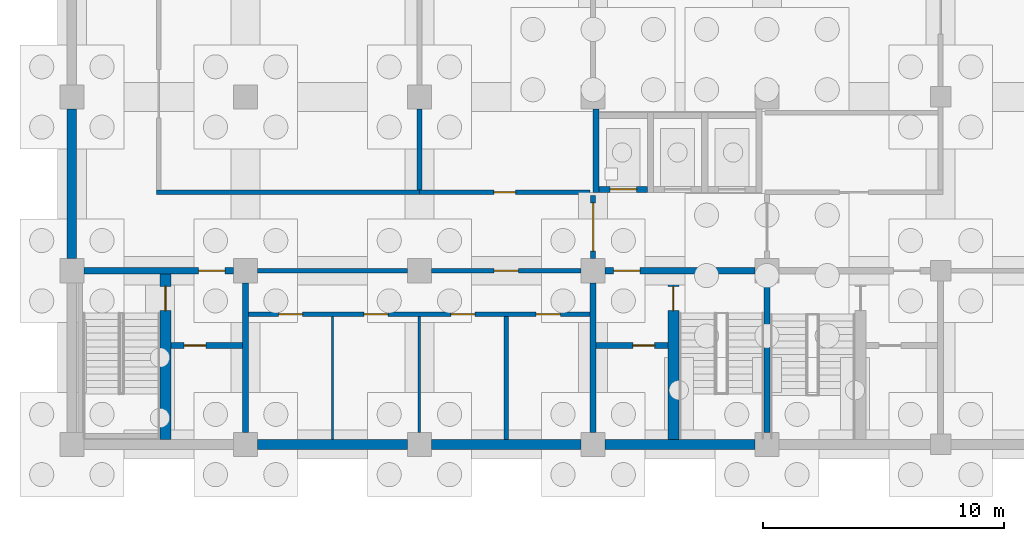
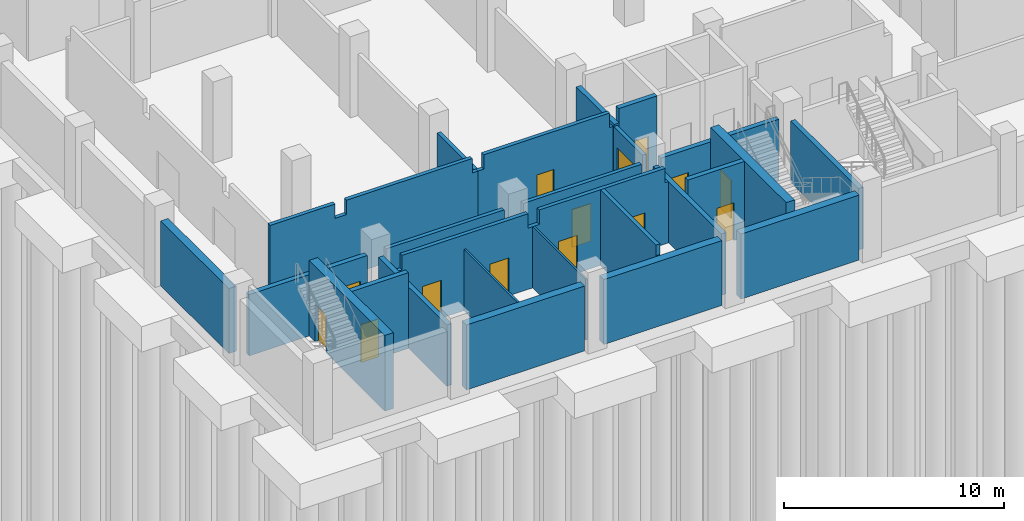
# One storey, part 7 of 19: 25 walls, 14 doors, 14 openings.
"""IFC4 building model written with IfcOpenShell, lengths in metres."""

import ifcopenshell
import ifcopenshell.guid

model = None  # the IFC model being written
_history = None  # IfcOwnerHistory: only IFC2X3 demands one
_inside = {}  # id of a spatial element -> (the spatial element, [elements in it])
_under = {}  # id of a project, library or spatial element -> (it, [spatial elements below it])
_declared = {}  # id of a project -> (the project, [libraries it declares])
_typed = {}  # id of a type object -> (the type object, [elements of that type])
_made_of = {}  # id of a material, layer set ... -> (it, [elements and type objects made of it])


def new_model(schema):
    """Start an empty IFC model of exactly this schema.

    Asked for "IFC4X3", IfcOpenShell would pick the latest addendum, in which some entities
    have other attributes; the version numbers below select the first issue.
    IFC2X3 requires an IfcOwnerHistory on every rooted entity: one is made here for all.
    """
    global model, _history
    if schema == "IFC4X3":
        model = ifcopenshell.file(schema_version=(4, 3, 0, 0))
    else:
        model = ifcopenshell.file(schema=schema)
    _inside.clear()
    _under.clear()
    _declared.clear()
    _typed.clear()
    _made_of.clear()
    _history = None
    if model.schema == "IFC2X3":
        org = make("IfcOrganization", Name="unknown")
        user = make(
            "IfcPersonAndOrganization",
            ThePerson=make("IfcPerson", FamilyName="unknown"),
            TheOrganization=org,
        )
        app = make(
            "IfcApplication",
            ApplicationDeveloper=org,
            Version="unknown",
            ApplicationFullName="unknown",
            ApplicationIdentifier="unknown",
        )
        _history = make(
            "IfcOwnerHistory",
            OwningUser=user,
            OwningApplication=app,
            ChangeAction="ADDED",
            CreationDate=0,
        )
    return model


def make(cls, **values):
    """One entity of the class cls with the attributes given. An attribute that is None is left unset."""
    return model.create_entity(
        cls, **{name: value for name, value in values.items() if value is not None}
    )


def rooted(cls, **values):
    """An entity with a GlobalId (a new one), such as an element, a storey or a relation."""
    return make(cls, GlobalId=ifcopenshell.guid.new(), OwnerHistory=_history, **values)


def si_unit(unit_type, name, prefix=None):
    """IfcSIUnit, for example si_unit("LENGTHUNIT", "METRE", prefix="MILLI")."""
    return make("IfcSIUnit", UnitType=unit_type, Prefix=prefix, Name=name)


def assignment(units):
    """IfcUnitAssignment: the units of a project."""
    return None if units is None else make("IfcUnitAssignment", Units=units)


def point(xyz):
    """IfcCartesianPoint."""
    return None if xyz is None else make("IfcCartesianPoint", Coordinates=xyz)


def direction(xyz):
    """IfcDirection."""
    return None if xyz is None else make("IfcDirection", DirectionRatios=xyz)


def frame(location, z_axis=None, x_axis=None):
    """IfcAxis2Placement3D, a coordinate frame: its origin and axes. An axis left out is left unset."""
    return make(
        "IfcAxis2Placement3D",
        Location=point(location),
        Axis=direction(z_axis),
        RefDirection=direction(x_axis),
    )


def frame_2d(location, x_axis=None):
    """IfcAxis2Placement2D, a coordinate frame in the plane: its origin and x axis."""
    return make(
        "IfcAxis2Placement2D", Location=point(location), RefDirection=direction(x_axis)
    )


def origin():
    """The frame at (0, 0, 0) with its axes left unset."""
    return frame((0.0, 0.0, 0.0))


def place(relative_to, where):
    """IfcLocalPlacement: puts the frame where relative to a parent placement (None: the world)."""
    return make(
        "IfcLocalPlacement", PlacementRelTo=relative_to, RelativePlacement=where
    )


def context(
    kind, dimensions, precision=None, world=None, true_north=None, identifier=None
):
    """IfcGeometricRepresentationContext, for example the 3D "Model" context."""
    return make(
        "IfcGeometricRepresentationContext",
        ContextIdentifier=identifier,
        ContextType=kind,
        CoordinateSpaceDimension=dimensions,
        Precision=precision,
        WorldCoordinateSystem=world,
        TrueNorth=true_north,
    )


def subcontext(parent, identifier, kind, view, scale=None):
    """IfcGeometricRepresentationSubContext, for example "Body" below "Model"."""
    return make(
        "IfcGeometricRepresentationSubContext",
        ContextIdentifier=identifier,
        ContextType=kind,
        ParentContext=parent,
        TargetScale=scale,
        TargetView=view,
    )


def project(units=None, contexts=None):
    """IfcProject with its units and contexts."""
    return rooted(
        "IfcProject",
        Name="project",
        RepresentationContexts=contexts,
        UnitsInContext=assignment(units),
    )


def spatial(cls, under=None, at=None, **own):
    """A site, building, storey or space (cls), placed at a placement, below another one or the project."""
    s = rooted(cls, ObjectPlacement=at, **own)
    if under is not None:
        _under.setdefault(under.id(), (under, []))[1].append(s)
    return s


def polyline(points):
    """IfcPolyline through the points."""
    return make("IfcPolyline", Points=[point(p) for p in points])


def profile(cls, at=None, kind="AREA", **sizes):
    """A parametric profile (cls). Its sizes go by their IFC names, for example OverallWidth=200.0."""
    return make(cls, ProfileType=kind, Position=at, **sizes)


def rectangle(**sizes):
    """IfcRectangleProfileDef."""
    return profile("IfcRectangleProfileDef", **sizes)


def outline(outer, holes=None, kind="AREA"):
    """IfcArbitraryClosedProfileDef: a profile drawn as a closed curve; with holes, ...WithVoids."""
    if holes is None:
        return make("IfcArbitraryClosedProfileDef", ProfileType=kind, OuterCurve=outer)
    return make(
        "IfcArbitraryProfileDefWithVoids",
        ProfileType=kind,
        OuterCurve=outer,
        InnerCurves=holes,
    )


def extrude(swept, where, along, depth):
    """IfcExtrudedAreaSolid: the profile swept, set in the frame where, extruded along a direction by depth."""
    return make(
        "IfcExtrudedAreaSolid",
        SweptArea=swept,
        Position=where,
        ExtrudedDirection=direction(along),
        Depth=depth,
    )


def shape(context_of_items, identifier, shape_type, items):
    """IfcShapeRepresentation: the items that make up one representation, for example the "Body"."""
    return make(
        "IfcShapeRepresentation",
        ContextOfItems=context_of_items,
        RepresentationIdentifier=identifier,
        RepresentationType=shape_type,
        Items=items,
    )


def material(Name=None, Category=None):
    """IfcMaterial."""
    return make("IfcMaterial", Name=Name, Category=Category)


def layer(
    of_material, thickness, ventilated=None, Name=None, Category=None, Priority=None
):
    """IfcMaterialLayer: one layer of a wall or slab, of a material (None: an air gap)."""
    return make(
        "IfcMaterialLayer",
        Material=of_material,
        LayerThickness=thickness,
        IsVentilated=ventilated,
        Name=Name,
        Category=Category,
        Priority=Priority,
    )


def layer_set(layers, Name=None):
    """IfcMaterialLayerSet."""
    return make("IfcMaterialLayerSet", MaterialLayers=layers, LayerSetName=Name)


def made_of(thing, what):
    """Note that an element or type object is made of a material, layer set ...; save() writes the relation."""
    if what is not None:
        _made_of.setdefault(what.id(), (what, []))[1].append(thing)
    return thing


def type_object(cls, material=None, **own):
    """A type object (cls), such as IfcWallType, which elements share."""
    return made_of(rooted(cls, **own), material)


def element(
    cls,
    number,
    at=None,
    inside=None,
    cuts=None,
    type_object=None,
    material=None,
    context=None,
    identifier="Body",
    shape_type=None,
    held_by="IfcProductDefinitionShape",
    body=None,
    shapes=None,
    **own,
):
    """One element of the class cls, such as IfcWall. Its Tag is "e" and its number.

    at: its placement. inside: the storey or other place that contains it. cuts: it is an
    opening in that element (IfcRelVoidsElement). A single representation is given by context,
    identifier, shape_type and body (its items); several are given by shapes. held_by: the class
    of the entity that holds the representations. save() writes the other relations.
    """
    e = rooted(cls, Tag="e%d" % number, ObjectPlacement=at, **own)
    if body is not None:
        shapes = [shape(context, identifier, shape_type, body)]
    if shapes is not None:
        e.Representation = make(held_by, Representations=shapes)
    if inside is not None:
        _inside.setdefault(inside.id(), (inside, []))[1].append(e)
    if cuts is not None:
        rooted(
            "IfcRelVoidsElement", RelatingBuildingElement=cuts, RelatedOpeningElement=e
        )
    if type_object is not None:
        _typed.setdefault(type_object.id(), (type_object, []))[1].append(e)
    return made_of(e, material)


def fill(opening, filler):
    """IfcRelFillsElement: the door or window that sits in an opening."""
    return rooted(
        "IfcRelFillsElement",
        RelatingOpeningElement=opening,
        RelatedBuildingElement=filler,
    )


def aggregate(whole, parts):
    """IfcRelAggregates: a whole, such as a stair, and the parts it consists of."""
    return rooted("IfcRelAggregates", RelatingObject=whole, RelatedObjects=parts)


def save(model, path):
    """Write the relations noted so far, then the file.

    IfcRelAggregates (storeys below a building ...), IfcRelContainedInSpatialStructure (elements
    in a storey), IfcRelDefinesByType, IfcRelAssociatesMaterial and IfcRelDeclares: one each for
    every whole, place, type object, material and project.
    """
    for whole, parts in _under.values():
        aggregate(whole, parts)
    for where, things in _inside.values():
        rooted(
            "IfcRelContainedInSpatialStructure",
            RelatedElements=things,
            RelatingStructure=where,
        )
    for kind, things in _typed.values():
        rooted("IfcRelDefinesByType", RelatedObjects=things, RelatingType=kind)
    for what, things in _made_of.values():
        rooted("IfcRelAssociatesMaterial", RelatedObjects=things, RelatingMaterial=what)
    for by, libraries in _declared.values():
        rooted("IfcRelDeclares", RelatingContext=by, RelatedDefinitions=libraries)
    model.write(path)


model = new_model("IFC4")

# Units and contexts
model_context = context("Model", 3, precision=1e-05, world=origin(), true_north=direction((0.0, 1.0)))
body_context = subcontext(model_context, "Body", "Model", "MODEL_VIEW")
ifc_project = project(units=[si_unit("LENGTHUNIT", "METRE"), si_unit("AREAUNIT", "SQUARE_METRE"), si_unit("VOLUMEUNIT", "CUBIC_METRE"), si_unit("PLANEANGLEUNIT", "RADIAN"), si_unit("MASSUNIT", "GRAM", prefix="KILO")], contexts=[model_context])

# Site, building, storey
site_placement = place(None, origin())
site = spatial("IfcSite", under=ifc_project, at=site_placement, CompositionType="ELEMENT")
building_placement = place(site_placement, origin())
building = spatial("IfcBuilding", under=site, at=building_placement, Name="Silangan Lancet Faculty of Sciences", CompositionType="ELEMENT")
storey_placement = place(building_placement, frame((0.0, 0.0, -4.5)))
storey = spatial("IfcBuildingStorey", under=building, at=storey_placement, Name="B1", CompositionType="ELEMENT", Elevation=-4.5)

# Wall, openings, doors
ifc_material_1 = material(Name="Hollow block masonry fm 7 MPa", Category="masonry")
ifc_layer_1 = layer(ifc_material_1, 0.199951171875)
ifc_layer_set_1 = layer_set([ifc_layer_1], Name="Hollow block masonry fm 7 MPa")
wall_type_1 = type_object("IfcWallType", Name="Interior wall PW1 Corridor wall CHB 200", PredefinedType="PARTITIONING", material=ifc_layer_set_1)
wall_1_placement = place(storey_placement, frame((7.324951171875, 5.39990234375, 0.0), z_axis=(0.0, 0.0, 1.0), x_axis=(1.0, 0.0, 0.0)))
wall_1 = element("IfcWall", 1, at=wall_1_placement, inside=storey, type_object=wall_type_1, Name="Corridor wall CHB 200", PredefinedType="PARTITIONING", context=body_context, shape_type="SweptSolid", body=[
    extrude(outline(polyline([(0.0, 0.0), (14.150146484375, 0.0), (14.150146484375, 3.39990234375), (13.97509765625, 3.39990234375), (13.97509765625, 4.199951171875), (7.375, 4.199951171875), (7.375, 3.39990234375), (6.77490234375, 3.39990234375), (6.77490234375, 4.199951171875), (0.175048828125, 4.199951171875), (0.175048828125, 3.39990234375), (0.0, 3.39990234375), (0.0, 0.0)])), frame((0.0, 0.10009765625, 0.0), z_axis=(0.0, -1.0, 0.0), x_axis=(1.0, 0.0, 0.0)), (0.0, 0.0, 1.0), 0.199951171875),
])
opening_1_placement = place(wall_1_placement, frame((1.237548828125, 0.0, 0.0)))
opening_1 = element("IfcOpeningElement", 2, at=opening_1_placement, cuts=wall_1, Name="Opening B1-031", PredefinedType="OPENING", context=body_context, shape_type="SweptSolid", body=[
    extrude(rectangle(XDim=1.0, YDim=2.10009765625, at=frame_2d((0.5, 1.050048828125))), frame((0.0, 0.10986328125, 0.0), z_axis=(0.0, -1.0, 0.0), x_axis=(1.0, 0.0, 0.0)), (0.0, 0.0, 1.0), 0.219970703125),
])
opening_2_placement = place(wall_1_placement, frame((4.77490234375, 0.0, 0.0)))
opening_2 = element("IfcOpeningElement", 3, at=opening_2_placement, cuts=wall_1, Name="Opening B1-032", PredefinedType="OPENING", context=body_context, shape_type="SweptSolid", body=[
    extrude(rectangle(XDim=1.0, YDim=2.10009765625, at=frame_2d((0.5, 1.050048828125))), frame((0.0, 0.10986328125, 0.0), z_axis=(0.0, -1.0, 0.0), x_axis=(1.0, 0.0, 0.0)), (0.0, 0.0, 1.0), 0.219970703125),
])
opening_3_placement = place(wall_1_placement, frame((8.375, 0.0, 0.0)))
opening_3 = element("IfcOpeningElement", 4, at=opening_3_placement, cuts=wall_1, Name="Opening B1-033", PredefinedType="OPENING", context=body_context, shape_type="SweptSolid", body=[
    extrude(rectangle(XDim=1.0, YDim=2.10009765625, at=frame_2d((0.5, 1.050048828125))), frame((0.0, 0.10986328125, 0.0), z_axis=(0.0, -1.0, 0.0), x_axis=(1.0, 0.0, 0.0)), (0.0, 0.0, 1.0), 0.219970703125),
])
opening_4_placement = place(wall_1_placement, frame((11.91259765625, 0.0, 0.0)))
opening_4 = element("IfcOpeningElement", 5, at=opening_4_placement, cuts=wall_1, Name="Opening B1-034", PredefinedType="OPENING", context=body_context, shape_type="SweptSolid", body=[
    extrude(rectangle(XDim=1.0, YDim=2.10009765625, at=frame_2d((0.5, 1.050048828125))), frame((0.0, 0.10986328125, 0.0), z_axis=(0.0, -1.0, 0.0), x_axis=(1.0, 0.0, 0.0)), (0.0, 0.0, 1.0), 0.219970703125),
])
ifc_material_2 = material(Name="Steel fire door set", Category="steel")
door_type_1 = type_object("IfcDoorType", Name="Door D1 Single leaf fire door 1000 x 2100", OperationType="SINGLE_SWING_LEFT", PredefinedType="DOOR", material=ifc_material_2)
door_1_placement = place(opening_1_placement, frame((1.0, 0.0, 0.0), z_axis=(0.0, 0.0, 1.0), x_axis=(-1.0, 0.0, 0.0)))
door_1 = element("IfcDoor", 6, at=door_1_placement, inside=storey, type_object=door_type_1, Name="Single leaf fire door 1000 x 2100", OperationType="SINGLE_SWING_RIGHT", OverallHeight=2.10009765625, OverallWidth=1.0, PredefinedType="DOOR", context=body_context, shape_type="SweptSolid", body=[
    extrude(rectangle(XDim=1.0, YDim=2.10009765625, at=frame_2d((0.5, 1.050048828125))), frame((0.0, 0.025146484375, 0.0), z_axis=(0.0, -1.0, 0.0), x_axis=(1.0, 0.0, 0.0)), (0.0, 0.0, 1.0), 0.050048828125),
])
fill(opening_1, door_1)
door_2_placement = place(opening_2_placement, frame((1.0, 0.0, 0.0), z_axis=(0.0, 0.0, 1.0), x_axis=(-1.0, 0.0, 0.0)))
door_2 = element("IfcDoor", 7, at=door_2_placement, inside=storey, type_object=door_type_1, Name="Single leaf fire door 1000 x 2100", OperationType="SINGLE_SWING_LEFT", OverallHeight=2.10009765625, OverallWidth=1.0, PredefinedType="DOOR", context=body_context, shape_type="SweptSolid", body=[
    extrude(rectangle(XDim=1.0, YDim=2.10009765625, at=frame_2d((0.5, 1.050048828125))), frame((0.0, 0.025146484375, 0.0), z_axis=(0.0, -1.0, 0.0), x_axis=(1.0, 0.0, 0.0)), (0.0, 0.0, 1.0), 0.050048828125),
])
fill(opening_2, door_2)
door_3_placement = place(opening_3_placement, frame((1.0, 0.0, 0.0), z_axis=(0.0, 0.0, 1.0), x_axis=(-1.0, 0.0, 0.0)))
door_3 = element("IfcDoor", 8, at=door_3_placement, inside=storey, type_object=door_type_1, Name="Single leaf fire door 1000 x 2100", OperationType="SINGLE_SWING_RIGHT", OverallHeight=2.10009765625, OverallWidth=1.0, PredefinedType="DOOR", context=body_context, shape_type="SweptSolid", body=[
    extrude(rectangle(XDim=1.0, YDim=2.10009765625, at=frame_2d((0.5, 1.050048828125))), frame((0.0, 0.025146484375, 0.0), z_axis=(0.0, -1.0, 0.0), x_axis=(1.0, 0.0, 0.0)), (0.0, 0.0, 1.0), 0.050048828125),
])
fill(opening_3, door_3)
door_4_placement = place(opening_4_placement, frame((1.0, 0.0, 0.0), z_axis=(0.0, 0.0, 1.0), x_axis=(-1.0, 0.0, 0.0)))
door_4 = element("IfcDoor", 9, at=door_4_placement, inside=storey, type_object=door_type_1, Name="Single leaf fire door 1000 x 2100", OperationType="SINGLE_SWING_LEFT", OverallHeight=2.10009765625, OverallWidth=1.0, PredefinedType="DOOR", context=body_context, shape_type="SweptSolid", body=[
    extrude(rectangle(XDim=1.0, YDim=2.10009765625, at=frame_2d((0.5, 1.050048828125))), frame((0.0, 0.025146484375, 0.0), z_axis=(0.0, -1.0, 0.0), x_axis=(1.0, 0.0, 0.0)), (0.0, 0.0, 1.0), 0.050048828125),
])
fill(opening_4, door_4)

# Wall
wall_2_placement = place(storey_placement, frame((7.699951171875, 7.199951171875, 0.0), z_axis=(0.0, 0.0, 1.0), x_axis=(1.0, 0.0, 0.0)))
element("IfcWall", 10, at=wall_2_placement, inside=storey, type_object=wall_type_1, Name="Corridor wall CHB 200", PredefinedType="PARTITIONING", context=body_context, shape_type="SweptSolid", body=[
    extrude(rectangle(XDim=6.199951171875, YDim=0.199951171875, at=frame_2d((3.10009765625, 0.0))), origin(), (0.0, 0.0, 1.0), 3.39990234375),
])

# Wall, opening, door
wall_3_placement = place(storey_placement, frame((14.89990234375, 7.199951171875, 0.0), z_axis=(0.0, 0.0, 1.0), x_axis=(1.0, 0.0, 0.0)))
wall_3 = element("IfcWall", 11, at=wall_3_placement, inside=storey, type_object=wall_type_1, Name="Corridor wall CHB 200", PredefinedType="PARTITIONING", context=body_context, shape_type="SweptSolid", body=[
    extrude(rectangle(XDim=6.2001953125, YDim=0.199951171875, at=frame_2d((3.10009765625, 0.0))), origin(), (0.0, 0.0, 1.0), 3.39990234375),
])
opening_5_placement = place(wall_3_placement, frame((2.60009765625, 0.0, 0.0)))
opening_5 = element("IfcOpeningElement", 12, at=opening_5_placement, cuts=wall_3, Name="Opening B1-002", PredefinedType="OPENING", context=body_context, shape_type="SweptSolid", body=[
    extrude(rectangle(XDim=1.0, YDim=2.10009765625, at=frame_2d((0.5, 1.050048828125))), frame((0.0, 0.10986328125, 0.0), z_axis=(0.0, -1.0, 0.0), x_axis=(1.0, 0.0, 0.0)), (0.0, 0.0, 1.0), 0.219970703125),
])
door_5_placement = place(opening_5_placement, frame((1.0, 0.0, 0.0), z_axis=(0.0, 0.0, 1.0), x_axis=(-1.0, 0.0, 0.0)))
door_5 = element("IfcDoor", 13, at=door_5_placement, inside=storey, type_object=door_type_1, Name="Single leaf fire door 1000 x 2100", OperationType="SINGLE_SWING_LEFT", OverallHeight=2.10009765625, OverallWidth=1.0, PredefinedType="DOOR", context=body_context, shape_type="SweptSolid", body=[
    extrude(rectangle(XDim=1.0, YDim=2.10009765625, at=frame_2d((0.5, 1.050048828125))), frame((0.0, 0.025146484375, 0.0), z_axis=(0.0, -1.0, 0.0), x_axis=(1.0, 0.0, 0.0)), (0.0, 0.0, 1.0), 0.050048828125),
])
fill(opening_5, door_5)

# Wall
ifc_material_3 = material(Name="Hollow block masonry fm 7 MPa", Category="masonry")
ifc_layer_2 = layer(ifc_material_3, 0.199951171875)
ifc_layer_set_2 = layer_set([ifc_layer_2], Name="Hollow block masonry fm 7 MPa")
wall_type_2 = type_object("IfcWallType", Name="Interior wall PW4 Laboratory separation CHB 200", PredefinedType="PARTITIONING", material=ifc_layer_set_2)
wall_4_placement = place(storey_placement, frame((18.0, 0.199951171875, 0.0), z_axis=(0.0, 0.0, 1.0), x_axis=(0.0, 1.0, 0.0)))
element("IfcWall", 14, at=wall_4_placement, inside=storey, type_object=wall_type_2, Name="Laboratory separation CHB 200", PredefinedType="PARTITIONING", context=body_context, shape_type="SweptSolid", body=[
    extrude(outline(polyline([(0.0, 0.0), (5.10009765625, 0.0), (5.10009765625, 4.199951171875), (0.050048828125, 4.199951171875), (0.050048828125, 3.60009765625), (0.0, 3.60009765625), (0.0, 0.0)])), frame((0.0, 0.10009765625, 0.0), z_axis=(0.0, -1.0, 0.0), x_axis=(1.0, 0.0, 0.0)), (0.0, 0.0, 1.0), 0.199951171875),
])

# Wall, opening, door
ifc_material_4 = material(Name="Concrete C35/45", Category="concrete")
ifc_layer_3 = layer(ifc_material_4, 0.199951171875)
ifc_layer_set_3 = layer_set([ifc_layer_3], Name="Concrete C35/45")
wall_type_3 = type_object("IfcWallType", Name="Interior wall PW5 Riser wall RC 200", PredefinedType="SOLIDWALL", material=ifc_layer_set_3)
wall_5_placement = place(storey_placement, frame((14.39990234375, 10.449951171875, 0.0), z_axis=(0.0, 0.0, 1.0), x_axis=(1.0, 0.0, 0.0)))
wall_5 = element("IfcWall", 15, at=wall_5_placement, inside=storey, type_object=wall_type_3, Name="Riser wall RC 200", PredefinedType="SOLIDWALL", context=body_context, shape_type="SweptSolid", body=[
    extrude(outline(polyline([(0.0, 0.0), (7.0751953125, 0.0), (7.0751953125, 3.39990234375), (6.900146484375, 3.39990234375), (6.900146484375, 4.199951171875), (0.300048828125, 4.199951171875), (0.300048828125, 3.39990234375), (0.0, 3.39990234375), (0.0, 0.0)])), frame((0.0, 0.10009765625, 0.0), z_axis=(0.0, -1.0, 0.0), x_axis=(1.0, 0.0, 0.0)), (0.0, 0.0, 1.0), 0.199951171875),
])
opening_6_placement = place(wall_5_placement, frame((3.087646484375, 0.0, 0.0)))
opening_6 = element("IfcOpeningElement", 16, at=opening_6_placement, cuts=wall_5, Name="Opening B1-009", PredefinedType="OPENING", context=body_context, shape_type="SweptSolid", body=[
    extrude(rectangle(XDim=0.89990234375, YDim=2.10009765625, at=frame_2d((0.449951171875, 1.050048828125))), frame((0.0, 0.10986328125, 0.0), z_axis=(0.0, -1.0, 0.0), x_axis=(1.0, 0.0, 0.0)), (0.0, 0.0, 1.0), 0.219970703125),
])
ifc_material_5 = material(Name="Steel fire door set", Category="steel")
door_type_2 = type_object("IfcDoorType", Name="Door D9 Riser access door 900 x 2100", OperationType="SINGLE_SWING_LEFT", PredefinedType="DOOR", material=ifc_material_5)
door_6_placement = place(opening_6_placement, origin())
door_6 = element("IfcDoor", 17, at=door_6_placement, inside=storey, type_object=door_type_2, Name="Riser access door 900 x 2100", OperationType="SINGLE_SWING_RIGHT", OverallHeight=2.10009765625, OverallWidth=0.89990234375, PredefinedType="DOOR", context=body_context, shape_type="SweptSolid", body=[
    extrude(rectangle(XDim=0.89990234375, YDim=2.10009765625, at=frame_2d((0.449951171875, 1.050048828125))), frame((0.0, 0.02490234375, 0.0), z_axis=(0.0, -1.0, 0.0), x_axis=(1.0, 0.0, 0.0)), (0.0, 0.0, 1.0), 0.050048828125),
])
fill(opening_6, door_6)

# Walls
wall_6_placement = place(storey_placement, frame((14.39990234375, 10.550048828125, 0.0), z_axis=(0.0, 0.0, 1.0), x_axis=(0.0, 1.0, 0.0)))
element("IfcWall", 18, at=wall_6_placement, inside=storey, type_object=wall_type_3, Name="Riser wall RC 200", PredefinedType="SOLIDWALL", context=body_context, shape_type="SweptSolid", body=[
    extrude(rectangle(XDim=3.349853515625, YDim=0.199951171875, at=frame_2d((1.6748046875, 0.0))), origin(), (0.0, 0.0, 1.0), 3.39990234375),
])
ifc_material_6 = material(Name="Hollow block masonry fm 7 MPa", Category="masonry")
ifc_layer_4 = layer(ifc_material_6, 0.199951171875)
ifc_layer_set_4 = layer_set([ifc_layer_4], Name="Hollow block masonry fm 7 MPa")
wall_type_4 = type_object("IfcWallType", Name="Interior wall PW6 Plant room wall CHB 200", PredefinedType="PARTITIONING", material=ifc_layer_set_4)
wall_7_placement = place(storey_placement, frame((3.5, 10.449951171875, 0.0), z_axis=(0.0, 0.0, 1.0), x_axis=(1.0, 0.0, 0.0)))
element("IfcWall", 19, at=wall_7_placement, inside=storey, type_object=wall_type_4, Name="Plant room wall CHB 200", PredefinedType="PARTITIONING", context=body_context, shape_type="SweptSolid", body=[
    extrude(outline(polyline([(0.0, 0.0), (10.89990234375, 0.0), (10.89990234375, 3.39990234375), (10.60009765625, 3.39990234375), (10.60009765625, 4.199951171875), (4.0, 4.199951171875), (4.0, 3.39990234375), (3.39990234375, 3.39990234375), (3.39990234375, 4.199951171875), (0.0, 4.199951171875), (0.0, 0.0)])), frame((0.0, 0.10009765625, 0.0), z_axis=(0.0, -1.0, 0.0), x_axis=(1.0, 0.0, 0.0)), (0.0, 0.0, 1.0), 0.199951171875),
])
ifc_material_7 = material(Name="Hollow block masonry fm 7 MPa", Category="masonry")
ifc_layer_5 = layer(ifc_material_7, 0.10009765625)
ifc_layer_set_5 = layer_set([ifc_layer_5], Name="Hollow block masonry fm 7 MPa")
wall_type_5 = type_object("IfcWallType", Name="Interior wall PW8 WC partition CHB 100", PredefinedType="PARTITIONING", material=ifc_layer_set_5)
wall_8_placement = place(storey_placement, frame((10.800048828125, 0.199951171875, 0.0), z_axis=(0.0, 0.0, 1.0), x_axis=(0.0, 1.0, 0.0)))
element("IfcWall", 20, at=wall_8_placement, inside=storey, type_object=wall_type_5, Name="WC partition CHB 100", PredefinedType="PARTITIONING", context=body_context, shape_type="SweptSolid", body=[
    extrude(rectangle(XDim=5.10009765625, YDim=0.10009765625, at=frame_2d((2.550048828125, 0.0))), origin(), (0.0, 0.0, 1.0), 3.39990234375),
])
wall_9_placement = place(storey_placement, frame((14.39990234375, 0.5, 0.0), z_axis=(0.0, 0.0, 1.0), x_axis=(0.0, 1.0, 0.0)))
element("IfcWall", 21, at=wall_9_placement, inside=storey, type_object=wall_type_5, Name="WC partition CHB 100", PredefinedType="PARTITIONING", context=body_context, shape_type="SweptSolid", body=[
    extrude(rectangle(XDim=4.800048828125, YDim=0.10009765625, at=frame_2d((2.39990234375, 0.0))), origin(), (0.0, 0.0, 1.0), 3.39990234375),
])

# Wall, opening, door
ifc_material_8 = material(Name="Hollow block masonry fm 7 MPa", Category="masonry")
ifc_layer_6 = layer(ifc_material_8, 0.199951171875)
ifc_layer_set_6 = layer_set([ifc_layer_6], Name="Hollow block masonry fm 7 MPa")
wall_type_6 = type_object("IfcWallType", Name="Interior wall PW9 Lift lobby wall CHB 200", PredefinedType="PARTITIONING", material=ifc_layer_set_6)
wall_10_placement = place(storey_placement, frame((21.60009765625, 7.699951171875, 0.0), z_axis=(0.0, 0.0, 1.0), x_axis=(0.0, 1.0, 0.0)))
wall_10 = element("IfcWall", 22, at=wall_10_placement, inside=storey, type_object=wall_type_6, Name="Lift lobby wall CHB 200", PredefinedType="PARTITIONING", context=body_context, shape_type="SweptSolid", body=[
    extrude(rectangle(XDim=2.625, YDim=0.199951171875, at=frame_2d((1.3125, 0.0))), origin(), (0.0, 0.0, 1.0), 3.39990234375),
])
opening_7_placement = place(wall_10_placement, frame((0.3125, 0.0, 0.0)))
opening_7 = element("IfcOpeningElement", 23, at=opening_7_placement, cuts=wall_10, Name="Opening B1-001", PredefinedType="OPENING", context=body_context, shape_type="SweptSolid", body=[
    extrude(rectangle(XDim=2.0, YDim=2.39990234375, at=frame_2d((1.0, 1.199951171875))), frame((0.0, 0.10986328125, 0.0), z_axis=(0.0, -1.0, 0.0), x_axis=(1.0, 0.0, 0.0)), (0.0, 0.0, 1.0), 0.219970703125),
])
ifc_material_9 = material(Name="Steel fire door set", Category="steel")
door_type_3 = type_object("IfcDoorType", Name="Door D5 Lift lobby double fire door 2000 x 2400", OperationType="DOUBLE_DOOR_SINGLE_SWING", PredefinedType="DOOR", material=ifc_material_9)
door_7_placement = place(opening_7_placement, origin())
door_7 = element("IfcDoor", 24, at=door_7_placement, inside=storey, type_object=door_type_3, Name="Lift lobby double fire door 2000 x 2400", OperationType="DOUBLE_DOOR_SINGLE_SWING", OverallHeight=2.39990234375, OverallWidth=2.0, PredefinedType="DOOR", context=body_context, shape_type="SweptSolid", body=[
    extrude(rectangle(XDim=2.0, YDim=2.39990234375, at=frame_2d((1.0, 1.199951171875))), frame((0.0, 0.02490234375, 0.0), z_axis=(0.0, -1.0, 0.0), x_axis=(1.0, 0.0, 0.0)), (0.0, 0.0, 1.0), 0.050048828125),
])
fill(opening_7, door_7)

# Wall
ifc_material_10 = material(Name="Concrete C40/50", Category="concrete")
ifc_layer_7 = layer(ifc_material_10, 0.25)
ifc_layer_set_7 = layer_set([ifc_layer_7], Name="Concrete C40/50")
wall_type_7 = type_object("IfcWallType", Name="LIFT SHAFT WALL RC 250", PredefinedType="SHEAR", material=ifc_layer_set_7)
wall_11_placement = place(storey_placement, frame((21.72509765625, 10.449951171875, -1.60009765625), z_axis=(0.0, 0.0, 1.0), x_axis=(0.0, 1.0, 0.0)))
element("IfcWall", 25, at=wall_11_placement, inside=storey, type_object=wall_type_7, Name="WALL-B1-ST-SW1", PredefinedType="SHEAR", context=body_context, shape_type="SweptSolid", body=[
    extrude(rectangle(XDim=3.449951171875, YDim=0.25, at=frame_2d((1.72509765625, 0.0))), origin(), (0.0, 0.0, 1.0), 5.0),
])

# Wall, opening, door
wall_12_placement = place(storey_placement, frame((21.85009765625, 10.574951171875, 0.0), z_axis=(0.0, 0.0, 1.0), x_axis=(1.0, 0.0, 0.0)))
wall_12 = element("IfcWall", 26, at=wall_12_placement, inside=storey, type_object=wall_type_7, Name="WALL-B1-ST-L1-F", PredefinedType="SHEAR", context=body_context, shape_type="SweptSolid", body=[
    extrude(rectangle(XDim=2.0, YDim=0.25, at=frame_2d((1.0, 0.0))), origin(), (0.0, 0.0, 1.0), 4.199951171875),
])
opening_8_placement = place(wall_12_placement, frame((0.449951171875, 0.0, 0.0)))
opening_8 = element("IfcOpeningElement", 27, at=opening_8_placement, cuts=wall_12, Name="Opening B1-807", PredefinedType="OPENING", context=body_context, shape_type="SweptSolid", body=[
    extrude(rectangle(XDim=1.10009765625, YDim=2.10009765625, at=frame_2d((0.550048828125, 1.050048828125))), frame((0.0, 0.135009765625, 0.0), z_axis=(0.0, -1.0, 0.0), x_axis=(1.0, 0.0, 0.0)), (0.0, 0.0, 1.0), 0.27001953125),
])
ifc_material_11 = material(Name="Stainless steel sliding door", Category="steel")
door_type_4 = type_object("IfcDoorType", Name="LD1 Lift landing door 1100x2100", OperationType="SLIDING_TO_LEFT", PredefinedType="DOOR", material=ifc_material_11)
door_8_placement = place(opening_8_placement, origin())
door_8 = element("IfcDoor", 28, at=door_8_placement, inside=storey, type_object=door_type_4, Name="Landing door ST-L1 B1", OperationType="SLIDING_TO_LEFT", OverallHeight=2.10009765625, OverallWidth=1.10009765625, PredefinedType="DOOR", context=body_context, shape_type="SweptSolid", body=[
    extrude(rectangle(XDim=1.10009765625, YDim=2.10009765625, at=frame_2d((0.550048828125, 1.050048828125))), frame((0.0, 0.02490234375, 0.0), z_axis=(0.0, -1.0, 0.0), x_axis=(1.0, 0.0, 0.0)), (0.0, 0.0, 1.0), 0.050048828125),
])
fill(opening_8, door_8)

# Walls
ifc_material_12 = material(Name="Concrete C35/45", Category="concrete")
ifc_layer_8 = layer(ifc_material_12, 0.39990234375)
ifc_layer_set_8 = layer_set([ifc_layer_8], Name="Concrete C35/45")
wall_type_8 = type_object("IfcWallType", Name="RW1 Basement retaining wall", PredefinedType="SOLIDWALL", material=ifc_layer_set_8)
wall_13_placement = place(storey_placement, frame((7.699951171875, 0.0, 0.0), z_axis=(0.0, 0.0, 1.0), x_axis=(1.0, 0.0, 0.0)))
element("IfcWall", 29, at=wall_13_placement, inside=storey, type_object=wall_type_8, Name="RW-B1-S-01", PredefinedType="SOLIDWALL", context=body_context, shape_type="SweptSolid", body=[
    extrude(rectangle(XDim=6.199951171875, YDim=0.39990234375, at=frame_2d((3.10009765625, 0.0))), origin(), (0.0, 0.0, 1.0), 3.60009765625),
])
wall_14_placement = place(storey_placement, frame((14.89990234375, 0.0, 0.0), z_axis=(0.0, 0.0, 1.0), x_axis=(1.0, 0.0, 0.0)))
element("IfcWall", 30, at=wall_14_placement, inside=storey, type_object=wall_type_8, Name="RW-B1-S-02", PredefinedType="SOLIDWALL", context=body_context, shape_type="SweptSolid", body=[
    extrude(rectangle(XDim=6.2001953125, YDim=0.39990234375, at=frame_2d((3.10009765625, 0.0))), origin(), (0.0, 0.0, 1.0), 3.60009765625),
])
for number, where, z_axis, x_axis, name in (
    (31, (22.10009765625, 0.0, 0.0), (0.0, 0.0, 1.0), (1.0, 0.0, 0.0), "RW-B1-S-03"),
    (32, (0.0, 13.89990234375, 0.0), (0.0, 0.0, 1.0), (0.0, -1.0, 0.0), "RW-B1-W-06"),
):
    element("IfcWall", number, at=place(storey_placement, frame(where, z_axis=z_axis, x_axis=x_axis)), inside=storey, type_object=wall_type_8, Name=name, PredefinedType="SOLIDWALL", context=body_context, shape_type="SweptSolid", body=[
        extrude(rectangle(XDim=6.199951171875, YDim=0.39990234375, at=frame_2d((3.10009765625, 0.0))), origin(), (0.0, 0.0, 1.0), 3.60009765625),
    ])

# Wall, opening, door
ifc_material_13 = material(Name="Concrete C40/50", Category="concrete")
ifc_layer_9 = layer(ifc_material_13, 0.449951171875)
ifc_layer_set_9 = layer_set([ifc_layer_9], Name="Concrete C40/50")
wall_type_9 = type_object("IfcWallType", Name="TURRET CORE WALL RC 450", PredefinedType="SHEAR", material=ifc_layer_set_9)
wall_15_placement = place(storey_placement, frame((3.875, 0.199951171875, 0.0), z_axis=(0.0, 0.0, 1.0), x_axis=(0.0, 1.0, 0.0)))
wall_15 = element("IfcWall", 33, at=wall_15_placement, inside=storey, type_object=wall_type_9, Name="WALL-B1-ST-A-WELL", PredefinedType="SHEAR", context=body_context, shape_type="SweptSolid", body=[
    extrude(rectangle(XDim=6.875, YDim=0.449951171875, at=frame_2d((3.4375, 0.0))), origin(), (0.0, 0.0, 1.0), 4.199951171875),
])
opening_9_placement = place(wall_15_placement, frame((5.35009765625, 0.0, 0.0)))
opening_9 = element("IfcOpeningElement", 34, at=opening_9_placement, cuts=wall_15, Name="Opening B1-725", PredefinedType="OPENING", context=body_context, shape_type="SweptSolid", body=[
    extrude(rectangle(XDim=1.0, YDim=2.10009765625, at=frame_2d((0.5, 1.050048828125))), frame((0.0, 0.23486328125, 0.0), z_axis=(0.0, -1.0, 0.0), x_axis=(1.0, 0.0, 0.0)), (0.0, 0.0, 1.0), 0.469970703125),
])
ifc_material_14 = material(Name="Steel fire door set", Category="steel")
door_type_5 = type_object("IfcDoorType", Name="D71 Stair enclosure door 1000x2100", OperationType="SINGLE_SWING_LEFT", PredefinedType="DOOR", material=ifc_material_14)
door_9_placement = place(opening_9_placement, origin())
door_9 = element("IfcDoor", 35, at=door_9_placement, inside=storey, type_object=door_type_5, Name="Stair enclosure door ST-A B1", OperationType="SINGLE_SWING_RIGHT", OverallHeight=2.10009765625, OverallWidth=1.0, PredefinedType="DOOR", context=body_context, shape_type="SweptSolid", body=[
    extrude(rectangle(XDim=1.0, YDim=2.10009765625, at=frame_2d((0.5, 1.050048828125))), frame((0.0, 0.02490234375, 0.0), z_axis=(0.0, -1.0, 0.0), x_axis=(1.0, 0.0, 0.0)), (0.0, 0.0, 1.0), 0.050048828125),
])
fill(opening_9, door_9)

wall_16_placement = place(storey_placement, frame((24.925048828125, 0.199951171875, 0.0), z_axis=(0.0, 0.0, 1.0), x_axis=(0.0, 1.0, 0.0)))
wall_16 = element("IfcWall", 36, at=wall_16_placement, inside=storey, type_object=wall_type_9, Name="WALL-B1-ST-B-WELL", PredefinedType="SHEAR", context=body_context, shape_type="SweptSolid", body=[
    extrude(rectangle(XDim=6.875, YDim=0.449951171875, at=frame_2d((3.4375, 0.0))), origin(), (0.0, 0.0, 1.0), 4.199951171875),
])
opening_10_placement = place(wall_16_placement, frame((5.35009765625, 0.0, 0.0)))
opening_10 = element("IfcOpeningElement", 37, at=opening_10_placement, cuts=wall_16, Name="Opening B1-728", PredefinedType="OPENING", context=body_context, shape_type="SweptSolid", body=[
    extrude(rectangle(XDim=1.0, YDim=2.10009765625, at=frame_2d((0.5, 1.050048828125))), frame((0.0, 0.23486328125, 0.0), z_axis=(0.0, -1.0, 0.0), x_axis=(1.0, 0.0, 0.0)), (0.0, 0.0, 1.0), 0.469970703125),
])
door_10_placement = place(opening_10_placement, frame((1.0, 0.0, 0.0), z_axis=(0.0, 0.0, 1.0), x_axis=(-1.0, 0.0, 0.0)))
door_10 = element("IfcDoor", 38, at=door_10_placement, inside=storey, type_object=door_type_5, Name="Stair enclosure door ST-B B1", OperationType="SINGLE_SWING_LEFT", OverallHeight=2.10009765625, OverallWidth=1.0, PredefinedType="DOOR", context=body_context, shape_type="SweptSolid", body=[
    extrude(rectangle(XDim=1.0, YDim=2.10009765625, at=frame_2d((0.5, 1.050048828125))), frame((0.0, 0.025146484375, 0.0), z_axis=(0.0, -1.0, 0.0), x_axis=(1.0, 0.0, 0.0)), (0.0, 0.0, 1.0), 0.050048828125),
])
fill(opening_10, door_10)

# Wall
ifc_material_15 = material(Name="Concrete C40/50", Category="concrete")
ifc_layer_10 = layer(ifc_material_15, 0.25)
ifc_layer_set_10 = layer_set([ifc_layer_10], Name="Concrete C40/50")
wall_type_10 = type_object("IfcWallType", Name="TURRET WALL RC 250", PredefinedType="SHEAR", material=ifc_layer_set_10)
wall_17_placement = place(storey_placement, frame((28.800048828125, 0.5, 0.0), z_axis=(0.0, 0.0, 1.0), x_axis=(0.0, 1.0, 0.0)))
element("IfcWall", 39, at=wall_17_placement, inside=storey, type_object=wall_type_10, Name="WALL-B1-SAB-A-W", PredefinedType="SHEAR", context=body_context, shape_type="SweptSolid", body=[
    extrude(rectangle(XDim=6.199951171875, YDim=0.25, at=frame_2d((3.10009765625, 0.0))), origin(), (0.0, 0.0, 1.0), 3.39990234375),
])

# Wall, opening, door
wall_18_placement = place(storey_placement, frame((0.5, 7.199951171875, 0.0), z_axis=(0.0, 0.0, 1.0), x_axis=(1.0, 0.0, 0.0)))
wall_18 = element("IfcWall", 40, at=wall_18_placement, inside=storey, type_object=wall_type_10, Name="WALL-B1-ST-A-V", PredefinedType="SHEAR", context=body_context, shape_type="SweptSolid", body=[
    extrude(rectangle(XDim=6.199951171875, YDim=0.25, at=frame_2d((3.10009765625, 0.0))), origin(), (0.0, 0.0, 1.0), 3.39990234375),
])
opening_11_placement = place(wall_18_placement, frame((4.75, 0.0, 0.0)))
opening_11 = element("IfcOpeningElement", 41, at=opening_11_placement, cuts=wall_18, Name="Opening B1-726", PredefinedType="OPENING", context=body_context, shape_type="SweptSolid", body=[
    extrude(rectangle(XDim=1.10009765625, YDim=2.10009765625, at=frame_2d((0.550048828125, 1.050048828125))), frame((0.0, 0.135009765625, 0.0), z_axis=(0.0, -1.0, 0.0), x_axis=(1.0, 0.0, 0.0)), (0.0, 0.0, 1.0), 0.27001953125),
])
ifc_material_16 = material(Name="Steel fire door set", Category="steel")
door_type_6 = type_object("IfcDoorType", Name="D70 Stair vestibule door 1100x2100", OperationType="SINGLE_SWING_LEFT", PredefinedType="DOOR", material=ifc_material_16)
door_11_placement = place(opening_11_placement, frame((1.10009765625, 0.0, 0.0), z_axis=(0.0, 0.0, 1.0), x_axis=(-1.0, 0.0, 0.0)))
door_11 = element("IfcDoor", 42, at=door_11_placement, inside=storey, type_object=door_type_6, Name="Stair vestibule door ST-A B1", OperationType="SINGLE_SWING_LEFT", OverallHeight=2.10009765625, OverallWidth=1.10009765625, PredefinedType="DOOR", context=body_context, shape_type="SweptSolid", body=[
    extrude(rectangle(XDim=1.10009765625, YDim=2.10009765625, at=frame_2d((0.550048828125, 1.050048828125))), frame((0.0, 0.025146484375, 0.0), z_axis=(0.0, -1.0, 0.0), x_axis=(1.0, 0.0, 0.0)), (0.0, 0.0, 1.0), 0.050048828125),
])
fill(opening_11, door_11)

# Wall
wall_19_placement = place(storey_placement, frame((7.199951171875, 0.5, 0.0), z_axis=(0.0, 0.0, 1.0), x_axis=(0.0, 1.0, 0.0)))
element("IfcWall", 43, at=wall_19_placement, inside=storey, type_object=wall_type_10, Name="WALL-B1-ST-A-O", PredefinedType="SHEAR", context=body_context, shape_type="SweptSolid", body=[
    extrude(rectangle(XDim=6.199951171875, YDim=0.25, at=frame_2d((3.10009765625, 0.0))), origin(), (0.0, 0.0, 1.0), 3.39990234375),
])

# Wall, opening, door
wall_20_placement = place(storey_placement, frame((4.10009765625, 4.10009765625, 0.0), z_axis=(0.0, 0.0, 1.0), x_axis=(1.0, 0.0, 0.0)))
wall_20 = element("IfcWall", 44, at=wall_20_placement, inside=storey, type_object=wall_type_10, Name="WALL-B1-ST-A-RISER", PredefinedType="SHEAR", context=body_context, shape_type="SweptSolid", body=[
    extrude(rectangle(XDim=2.974853515625, YDim=0.25, at=frame_2d((1.4873046875, 0.0))), origin(), (0.0, 0.0, 1.0), 4.199951171875),
])
opening_12_placement = place(wall_20_placement, frame((0.550048828125, 0.0, 0.0)))
opening_12 = element("IfcOpeningElement", 45, at=opening_12_placement, cuts=wall_20, Name="Opening B1-727", PredefinedType="OPENING", context=body_context, shape_type="SweptSolid", body=[
    extrude(rectangle(XDim=0.89990234375, YDim=2.10009765625, at=frame_2d((0.449951171875, 1.050048828125))), frame((0.0, 0.135009765625, 0.0), z_axis=(0.0, -1.0, 0.0), x_axis=(1.0, 0.0, 0.0)), (0.0, 0.0, 1.0), 0.27001953125),
])
ifc_material_17 = material(Name="Steel fire door set", Category="steel")
door_type_7 = type_object("IfcDoorType", Name="D72 Riser access door 900x2100", OperationType="SINGLE_SWING_LEFT", PredefinedType="DOOR", material=ifc_material_17)
door_12_placement = place(opening_12_placement, frame((0.89990234375, 0.0, 0.0), z_axis=(0.0, 0.0, 1.0), x_axis=(-1.0, 0.0, 0.0)))
door_12 = element("IfcDoor", 46, at=door_12_placement, inside=storey, type_object=door_type_7, Name="Riser access door ST-A B1", OperationType="SINGLE_SWING_LEFT", OverallHeight=2.10009765625, OverallWidth=0.89990234375, PredefinedType="DOOR", context=body_context, shape_type="SweptSolid", body=[
    extrude(rectangle(XDim=0.89990234375, YDim=2.10009765625, at=frame_2d((0.449951171875, 1.050048828125))), frame((0.0, 0.025146484375, 0.0), z_axis=(0.0, -1.0, 0.0), x_axis=(1.0, 0.0, 0.0)), (0.0, 0.0, 1.0), 0.050048828125),
])
fill(opening_12, door_12)

wall_21_placement = place(storey_placement, frame((22.10009765625, 7.199951171875, 0.0), z_axis=(0.0, 0.0, 1.0), x_axis=(1.0, 0.0, 0.0)))
wall_21 = element("IfcWall", 47, at=wall_21_placement, inside=storey, type_object=wall_type_10, Name="WALL-B1-ST-B-V", PredefinedType="SHEAR", context=body_context, shape_type="SweptSolid", body=[
    extrude(rectangle(XDim=6.199951171875, YDim=0.25, at=frame_2d((3.10009765625, 0.0))), origin(), (0.0, 0.0, 1.0), 3.39990234375),
])
opening_13_placement = place(wall_21_placement, frame((0.35009765625, 0.0, 0.0)))
opening_13 = element("IfcOpeningElement", 48, at=opening_13_placement, cuts=wall_21, Name="Opening B1-729", PredefinedType="OPENING", context=body_context, shape_type="SweptSolid", body=[
    extrude(rectangle(XDim=1.10009765625, YDim=2.10009765625, at=frame_2d((0.550048828125, 1.050048828125))), frame((0.0, 0.135009765625, 0.0), z_axis=(0.0, -1.0, 0.0), x_axis=(1.0, 0.0, 0.0)), (0.0, 0.0, 1.0), 0.27001953125),
])
door_13_placement = place(opening_13_placement, frame((1.10009765625, 0.0, 0.0), z_axis=(0.0, 0.0, 1.0), x_axis=(-1.0, 0.0, 0.0)))
door_13 = element("IfcDoor", 49, at=door_13_placement, inside=storey, type_object=door_type_6, Name="Stair vestibule door ST-B B1", OperationType="SINGLE_SWING_RIGHT", OverallHeight=2.10009765625, OverallWidth=1.10009765625, PredefinedType="DOOR", context=body_context, shape_type="SweptSolid", body=[
    extrude(rectangle(XDim=1.10009765625, YDim=2.10009765625, at=frame_2d((0.550048828125, 1.050048828125))), frame((0.0, 0.025146484375, 0.0), z_axis=(0.0, -1.0, 0.0), x_axis=(1.0, 0.0, 0.0)), (0.0, 0.0, 1.0), 0.050048828125),
])
fill(opening_13, door_13)

# Wall
wall_22_placement = place(storey_placement, frame((21.60009765625, 0.5, 0.0), z_axis=(0.0, 0.0, 1.0), x_axis=(0.0, 1.0, 0.0)))
element("IfcWall", 50, at=wall_22_placement, inside=storey, type_object=wall_type_10, Name="WALL-B1-ST-B-O", PredefinedType="SHEAR", context=body_context, shape_type="SweptSolid", body=[
    extrude(rectangle(XDim=6.199951171875, YDim=0.25, at=frame_2d((3.10009765625, 0.0))), origin(), (0.0, 0.0, 1.0), 3.39990234375),
])

# Wall, opening, door
wall_23_placement = place(storey_placement, frame((21.72509765625, 4.10009765625, 0.0), z_axis=(0.0, 0.0, 1.0), x_axis=(1.0, 0.0, 0.0)))
wall_23 = element("IfcWall", 51, at=wall_23_placement, inside=storey, type_object=wall_type_10, Name="WALL-B1-ST-B-RISER", PredefinedType="SHEAR", context=body_context, shape_type="SweptSolid", body=[
    extrude(rectangle(XDim=2.974853515625, YDim=0.25, at=frame_2d((1.4873046875, 0.0))), origin(), (0.0, 0.0, 1.0), 4.199951171875),
])
opening_14_placement = place(wall_23_placement, frame((1.52490234375, 0.0, 0.0)))
opening_14 = element("IfcOpeningElement", 52, at=opening_14_placement, cuts=wall_23, Name="Opening B1-730", PredefinedType="OPENING", context=body_context, shape_type="SweptSolid", body=[
    extrude(rectangle(XDim=0.89990234375, YDim=2.10009765625, at=frame_2d((0.449951171875, 1.050048828125))), frame((0.0, 0.135009765625, 0.0), z_axis=(0.0, -1.0, 0.0), x_axis=(1.0, 0.0, 0.0)), (0.0, 0.0, 1.0), 0.27001953125),
])
door_14_placement = place(opening_14_placement, frame((0.89990234375, 0.0, 0.0), z_axis=(0.0, 0.0, 1.0), x_axis=(-1.0, 0.0, 0.0)))
door_14 = element("IfcDoor", 53, at=door_14_placement, inside=storey, type_object=door_type_7, Name="Riser access door ST-B B1", OperationType="SINGLE_SWING_RIGHT", OverallHeight=2.10009765625, OverallWidth=0.89990234375, PredefinedType="DOOR", context=body_context, shape_type="SweptSolid", body=[
    extrude(rectangle(XDim=0.89990234375, YDim=2.10009765625, at=frame_2d((0.449951171875, 1.050048828125))), frame((0.0, 0.025146484375, 0.0), z_axis=(0.0, -1.0, 0.0), x_axis=(1.0, 0.0, 0.0)), (0.0, 0.0, 1.0), 0.050048828125),
])
fill(opening_14, door_14)

save(model, "model.ifc")
